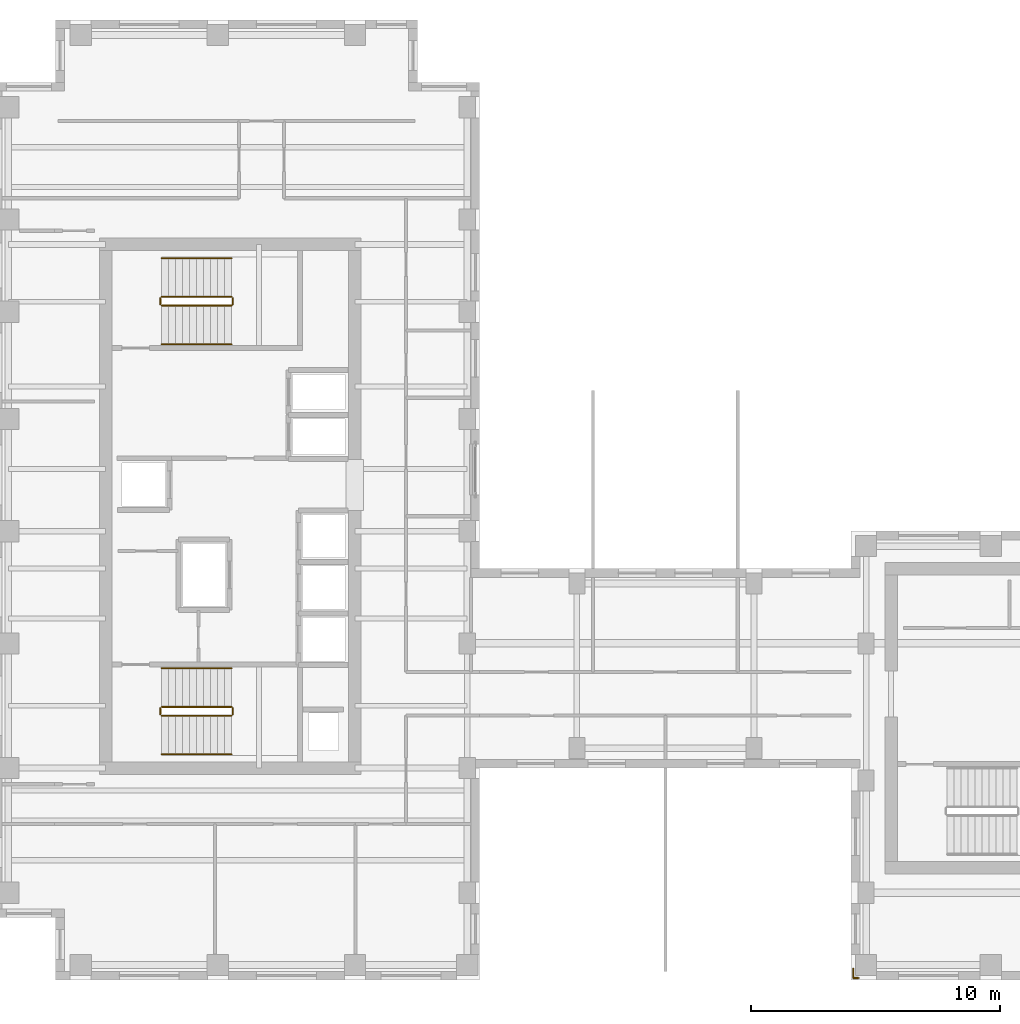
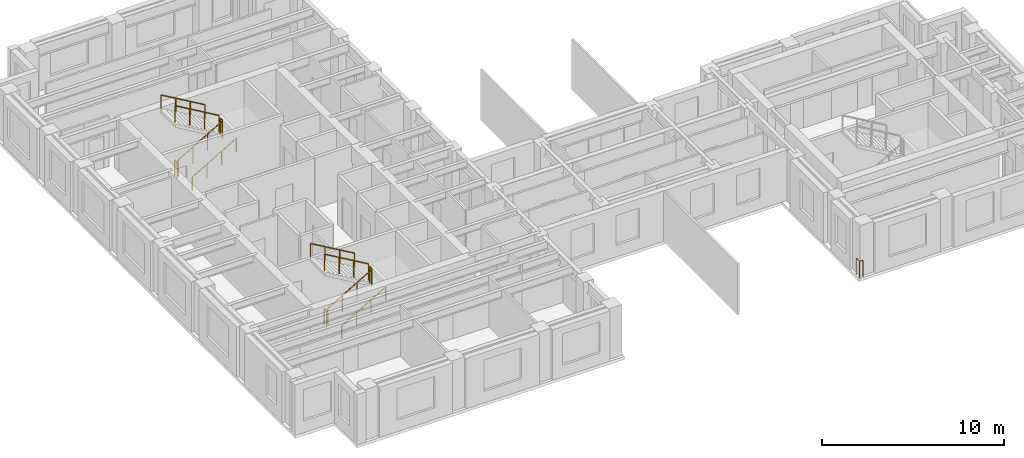
# One storey, part 10 of 11: 13 railings.
"""IFC4 building model written with IfcOpenShell, lengths in metres."""

from ifc_helpers import new_model, si_unit, direction, frame, origin, origin_2d, place, context, subcontext, project, spatial, circle, extrude, source, transform, mapped, material, layer, layer_set, type_object, element, save


model = new_model("IFC4")

# Units and contexts
model_context = context("Model", 3, precision=1e-05, world=origin(), true_north=direction((0.0, 1.0)))
body_context = subcontext(model_context, "Body", "Model", "MODEL_VIEW")
ifc_project = project(units=[si_unit("LENGTHUNIT", "METRE"), si_unit("AREAUNIT", "SQUARE_METRE"), si_unit("VOLUMEUNIT", "CUBIC_METRE"), si_unit("PLANEANGLEUNIT", "RADIAN"), si_unit("MASSUNIT", "GRAM", prefix="KILO")], contexts=[model_context])

# Site, building, storey
site_placement = place(None, origin())
site = spatial("IfcSite", under=ifc_project, at=site_placement, CompositionType="ELEMENT")
building_placement = place(site_placement, origin())
building = spatial("IfcBuilding", under=site, at=building_placement, Name="Kharzan Plaza Tower", CompositionType="ELEMENT")
storey_placement = place(building_placement, frame((0.0, 0.0, 226.800048828125)))
storey = spatial("IfcBuildingStorey", under=building, at=storey_placement, Name="L61", CompositionType="ELEMENT", Elevation=226.800048828125)

# Railings
ifc_material_1 = material(Name="Painted Galvanized Architectural Steel", Category="steel")
ifc_layer_1 = layer(ifc_material_1, 0.074951171875)
ifc_layer_set_1 = layer_set([ifc_layer_1], Name="Painted Galvanized Architectural Steel")
railing_type_1 = type_object("IfcRailingType", Name="RL-GUARD-1120", PredefinedType="BALUSTRADE", material=ifc_layer_set_1)
shared_shape_1 = source(origin(), body_context, "Body", "SweptSolid", [
    extrude(circle(Radius=0.02392578125, at=origin_2d()), frame((0.0, 0.0263671875, 1.09619140625), z_axis=(0.0, 1.0, 0.0), x_axis=(-1.0, 0.0, 0.0)), (0.0, 0.0, 1.0), 0.197021484375),
    extrude(circle(Radius=0.02099609375, at=origin_2d()), origin(), (0.0, 0.0, 1.0), 1.072021484375),
    extrude(circle(Radius=0.02099609375, at=origin_2d()), frame((0.0, 0.25, 0.0)), (0.0, 0.0, 1.0), 1.072021484375),
])
for number, where, name in (
    (1, (9.60009765625, 10.64990234375, 1.800048828125), "L61 ST-1 stair guard 2"),
    (2, (6.699951171875, 10.64990234375, 0.0), "L61 ST-1 stair guard 4"),
    (3, (9.60009765625, 27.10009765625, 1.800048828125), "L61 ST-2 stair guard 2"),
    (4, (6.699951171875, 27.10009765625, 0.0), "L61 ST-2 stair guard 4"),
):
    element("IfcRailing", number, at=place(storey_placement, frame(where)), inside=storey, type_object=railing_type_1, Name=name, PredefinedType="BALUSTRADE", context=body_context, shape_type="MappedRepresentation", body=[
        mapped(shared_shape_1, transform((0.0, 0.0, 0.0), x_axis=(1.0, 0.0, 0.0), y_axis=(0.0, 1.0, 0.0), z_axis=(0.0, 0.0, 1.0))),
    ])
shared_shape_2 = source(origin(), body_context, "Body", "SweptSolid", [
    extrude(circle(Radius=0.02392578125, at=origin_2d()), frame((0.02294921875, 0.0, 1.109375), z_axis=(0.863360870873, 0.0, 0.504586966384), x_axis=(0.0, 1.0, 0.0)), (0.0, 0.0, 1.0), 3.190185546875),
    extrude(circle(Radius=0.02099609375, at=origin_2d()), origin(), (0.0, 0.0, 1.0), 1.072021484375),
    extrude(circle(Radius=0.02099609375, at=origin_2d()), frame((0.933349609375, 0.0, 0.54541015625)), (0.0, 0.0, 1.0), 1.072021484375),
    extrude(circle(Radius=0.02099609375, at=origin_2d()), frame((1.86669921875, 0.0, 1.091064453125)), (0.0, 0.0, 1.0), 1.072021484375),
    extrude(circle(Radius=0.02099609375, at=origin_2d()), frame((2.800048828125, 0.0, 1.636474609375)), (0.0, 0.0, 1.0), 1.072021484375),
])
for number, where, name in (
    (5, (6.75, 10.60009765625, 0.16357421875), "L61 ST-1 stair guard 1"),
    (6, (6.75, 27.050048828125, 0.16357421875), "L61 ST-2 stair guard 1"),
):
    element("IfcRailing", number, at=place(storey_placement, frame(where)), inside=storey, type_object=railing_type_1, Name=name, PredefinedType="BALUSTRADE", context=body_context, shape_type="MappedRepresentation", body=[
        mapped(shared_shape_2, transform((0.0, 0.0, 0.0), x_axis=(1.0, 0.0, 0.0), y_axis=(0.0, 1.0, 0.0), z_axis=(0.0, 0.0, 1.0))),
    ])
ifc_material_2 = material(Name="Brushed Stainless Steel", Category="steel")
ifc_layer_2 = layer(ifc_material_2, 0.050048828125)
ifc_layer_set_2 = layer_set([ifc_layer_2], Name="Brushed Stainless Steel")
railing_type_2 = type_object("IfcRailingType", Name="RL-STAIR-HR920", PredefinedType="HANDRAIL", material=ifc_layer_set_2)
shared_shape_3 = source(origin(), body_context, "Body", "SweptSolid", [
    extrude(circle(Radius=0.02392578125, at=origin_2d()), frame((0.02294921875, 0.0, 0.88916015625), z_axis=(0.863360870873, 0.0, 0.504586966384), x_axis=(0.0, 1.0, 0.0)), (0.0, 0.0, 1.0), 3.190185546875),
    extrude(circle(Radius=0.02099609375, at=origin_2d()), origin(), (0.0, 0.0, 1.0), 0.851806640625),
    extrude(circle(Radius=0.02099609375, at=origin_2d()), frame((0.933349609375, 0.0, 0.54541015625)), (0.0, 0.0, 1.0), 0.851806640625),
    extrude(circle(Radius=0.02099609375, at=origin_2d()), frame((1.86669921875, 0.0, 1.091064453125)), (0.0, 0.0, 1.0), 0.851806640625),
    extrude(circle(Radius=0.02099609375, at=origin_2d()), frame((2.800048828125, 0.0, 1.636474609375)), (0.0, 0.0, 1.0), 0.851806640625),
])
for number, where, name in (
    (7, (6.75, 9.050048828125, 0.16357421875), "L61 ST-1 stair handrail 1"),
    (8, (6.75, 25.5, 0.16357421875), "L61 ST-2 stair handrail 1"),
):
    element("IfcRailing", number, at=place(storey_placement, frame(where)), inside=storey, type_object=railing_type_2, Name=name, PredefinedType="HANDRAIL", context=body_context, shape_type="MappedRepresentation", body=[
        mapped(shared_shape_3, transform((0.0, 0.0, 0.0), x_axis=(1.0, 0.0, 0.0), y_axis=(0.0, 1.0, 0.0), z_axis=(0.0, 0.0, 1.0))),
    ])
shared_shape_4 = source(origin(), body_context, "Body", "SweptSolid", [
    extrude(circle(Radius=0.02392578125, at=origin_2d()), frame((-0.02294921875, 0.0, 1.109375), z_axis=(-0.863393664356, 0.0, 0.504530851732), x_axis=(0.0, -1.0, 0.0)), (0.0, 0.0, 1.0), 3.190185546875),
    extrude(circle(Radius=0.02099609375, at=origin_2d()), origin(), (0.0, 0.0, 1.0), 1.072021484375),
    extrude(circle(Radius=0.02099609375, at=origin_2d()), frame((-0.933349609375, 0.0, 0.54541015625)), (0.0, 0.0, 1.0), 1.072021484375),
    extrude(circle(Radius=0.02099609375, at=origin_2d()), frame((-1.86669921875, 0.0, 1.0908203125)), (0.0, 0.0, 1.0), 1.072021484375),
    extrude(circle(Radius=0.02099609375, at=origin_2d()), frame((-2.800048828125, 0.0, 1.63623046875)), (0.0, 0.0, 1.0), 1.072021484375),
])
for number, where, name in (
    (9, (9.550048828125, 10.949951171875, 1.963623046875), "L61 ST-1 stair guard 3"),
    (10, (9.550048828125, 27.39990234375, 1.963623046875), "L61 ST-2 stair guard 3"),
):
    element("IfcRailing", number, at=place(storey_placement, frame(where)), inside=storey, type_object=railing_type_1, Name=name, PredefinedType="BALUSTRADE", context=body_context, shape_type="MappedRepresentation", body=[
        mapped(shared_shape_4, transform((0.0, 0.0, 0.0), x_axis=(1.0, 0.0, 0.0), y_axis=(0.0, 1.0, 0.0), z_axis=(0.0, 0.0, 1.0))),
    ])
shared_shape_5 = source(origin(), body_context, "Body", "SweptSolid", [
    extrude(circle(Radius=0.02392578125, at=origin_2d()), frame((-0.02294921875, 0.0, 0.88916015625), z_axis=(-0.863393664356, 0.0, 0.504530851732), x_axis=(0.0, -1.0, 0.0)), (0.0, 0.0, 1.0), 3.190185546875),
    extrude(circle(Radius=0.02099609375, at=origin_2d()), origin(), (0.0, 0.0, 1.0), 0.851806640625),
    extrude(circle(Radius=0.02099609375, at=origin_2d()), frame((-0.933349609375, 0.0, 0.54541015625)), (0.0, 0.0, 1.0), 0.851806640625),
    extrude(circle(Radius=0.02099609375, at=origin_2d()), frame((-1.86669921875, 0.0, 1.0908203125)), (0.0, 0.0, 1.0), 0.851806640625),
    extrude(circle(Radius=0.02099609375, at=origin_2d()), frame((-2.800048828125, 0.0, 1.63623046875)), (0.0, 0.0, 1.0), 0.851806640625),
])
for number, where, name in (
    (11, (9.550048828125, 12.5, 1.963623046875), "L61 ST-1 stair handrail 2"),
    (12, (9.550048828125, 28.949951171875, 1.963623046875), "L61 ST-2 stair handrail 2"),
):
    element("IfcRailing", number, at=place(storey_placement, frame(where)), inside=storey, type_object=railing_type_2, Name=name, PredefinedType="HANDRAIL", context=body_context, shape_type="MappedRepresentation", body=[
        mapped(shared_shape_5, transform((0.0, 0.0, 0.0), x_axis=(1.0, 0.0, 0.0), y_axis=(0.0, 1.0, 0.0), z_axis=(0.0, 0.0, 1.0))),
    ])
shared_shape_6 = source(origin(), body_context, "Body", "SweptSolid", [
    extrude(circle(Radius=0.02392578125, at=origin_2d()), frame((-0.0263671875, 0.0, 1.09619140625), z_axis=(-1.0, 0.0, 0.0), x_axis=(0.0, -1.0, 0.0)), (0.0, 0.0, 1.0), 0.1669921875),
    extrude(circle(Radius=0.02392578125, at=origin_2d()), frame((-0.219970703125, 0.0263671875, 1.09619140625), z_axis=(0.0, 1.0, 0.0), x_axis=(-1.0, 0.0, 0.0)), (0.0, 0.0, 1.0), 0.31689453125),
    extrude(circle(Radius=0.02099609375, at=origin_2d()), origin(), (0.0, 0.0, 1.0), 1.072021484375),
    extrude(circle(Radius=0.02099609375, at=origin_2d()), frame((-0.219970703125, 0.0, 0.0)), (0.0, 0.0, 1.0), 1.072021484375),
    extrude(circle(Radius=0.02099609375, at=origin_2d()), frame((-0.219970703125, 0.369873046875, 0.0)), (0.0, 0.0, 1.0), 1.072021484375),
])
railing_placement = place(storey_placement, frame((34.699951171875, 0.080078125, 0.0)))
element("IfcRailing", 13, at=railing_placement, inside=storey, type_object=railing_type_1, Name="L61 South-West Wing B Slot Corner Safety Guard", PredefinedType="BALUSTRADE", context=body_context, shape_type="MappedRepresentation", body=[
    mapped(shared_shape_6, transform((0.0, 0.0, 0.0), x_axis=(1.0, 0.0, 0.0), y_axis=(0.0, 1.0, 0.0), z_axis=(0.0, 0.0, 1.0))),
])

save(model, "model.ifc")
